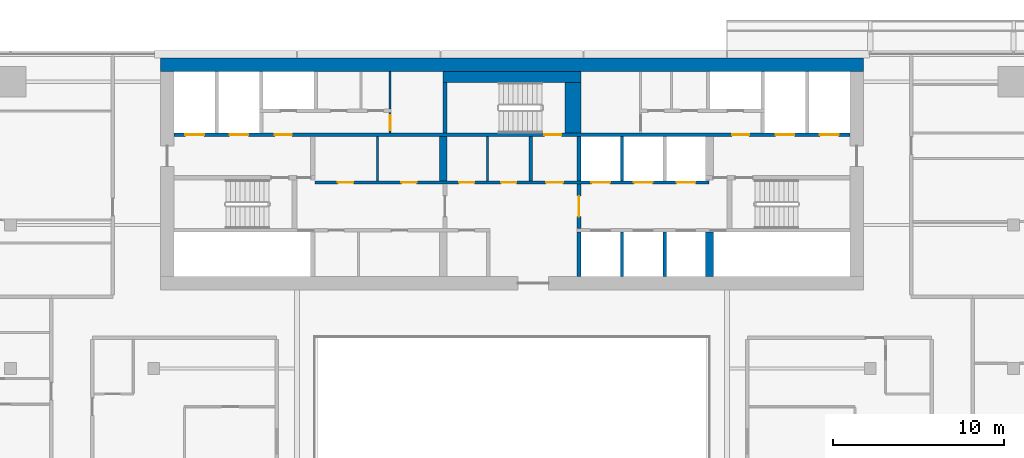
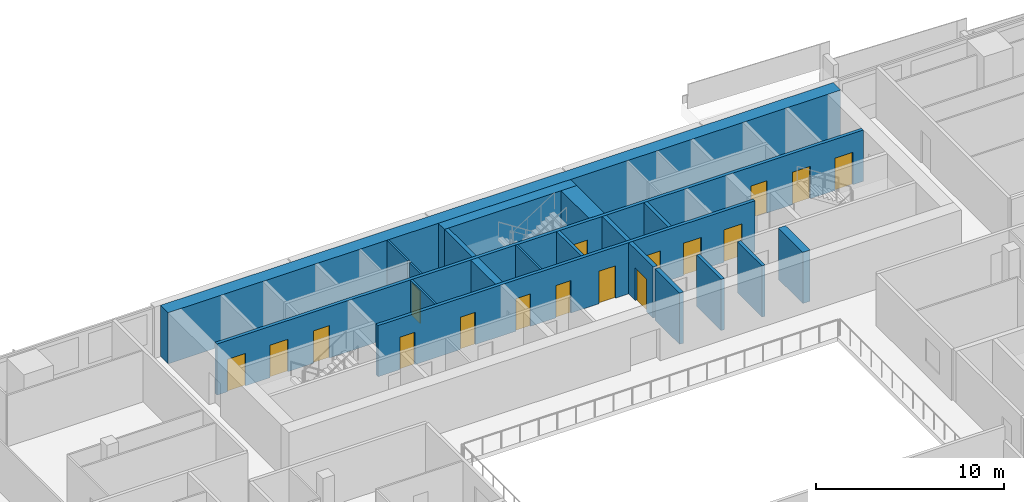
# One storey, part 21 of 30: 19 walls, 17 doors, 17 openings.
"""IFC4 building model written with IfcOpenShell, lengths in metres."""

from ifc_helpers import new_model, si_unit, direction, frame, frame_2d, origin, place, context, subcontext, project, spatial, rectangle, extrude, material, layer, layer_set, type_object, element, fill, save


model = new_model("IFC4")

# Units and contexts
model_context = context("Model", 3, precision=1e-05, world=origin(), true_north=direction((0.0, 1.0)))
body_context = subcontext(model_context, "Body", "Model", "MODEL_VIEW")
ifc_project = project(units=[si_unit("LENGTHUNIT", "METRE"), si_unit("AREAUNIT", "SQUARE_METRE"), si_unit("VOLUMEUNIT", "CUBIC_METRE"), si_unit("PLANEANGLEUNIT", "RADIAN"), si_unit("MASSUNIT", "GRAM", prefix="KILO")], contexts=[model_context])

# Site, building, storey
site_placement = place(None, origin())
site = spatial("IfcSite", under=ifc_project, at=site_placement, CompositionType="ELEMENT")
building_placement = place(site_placement, origin())
building = spatial("IfcBuilding", under=site, at=building_placement, Name="Saffron Gate Tower", CompositionType="ELEMENT")
storey_placement = place(building_placement, frame((0.0, 0.0, 169.050048828125)))
storey = spatial("IfcBuildingStorey", under=building, at=storey_placement, Name="L41", CompositionType="ELEMENT", Elevation=169.050048828125)

# Walls
ifc_material_1 = material(Name="Gypsum board partition on steel studs", Category="steel")
ifc_layer_1 = layer(ifc_material_1, 0.199951171875)
ifc_layer_set_1 = layer_set([ifc_layer_1], Name="CW10 Core partition 200")
wall_type_1 = type_object("IfcWallType", Name="CW10 Core partition 200", PredefinedType="PARTITIONING", material=ifc_layer_set_1)
wall_1_placement = place(storey_placement, frame((88.699951171875, 68.0, 0.0), z_axis=(0.0, 0.0, 1.0), x_axis=(0.0, 1.0, 0.0)))
element("IfcWall", 1, at=wall_1_placement, inside=storey, type_object=wall_type_1, Name="Wall CW10-L41-23", PredefinedType="PARTITIONING", context=body_context, shape_type="SweptSolid", body=[
    extrude(rectangle(XDim=2.60009765625, YDim=0.199951171875, at=frame_2d((1.300048828125, 0.0))), origin(), (0.0, 0.0, 1.0), 3.320068359375),
])
ifc_material_2 = material(Name="Concrete C60", Category="concrete")
ifc_layer_2 = layer(ifc_material_2, 0.800048828125)
ifc_layer_set_2 = layer_set([ifc_layer_2], Name="CW13 RC core wall 800 C60")
wall_type_2 = type_object("IfcWallType", Name="CW13 RC core wall 800 C60", PredefinedType="SOLIDWALL", material=ifc_layer_set_2)
wall_2_placement = place(storey_placement, frame((67.0, 74.800048828125, 0.0), z_axis=(0.0, 0.0, 1.0), x_axis=(1.0, 0.0, 0.0)))
element("IfcWall", 2, at=wall_2_placement, inside=storey, type_object=wall_type_2, Name="Wall CW13-L41-2", PredefinedType="SOLIDWALL", context=body_context, shape_type="SweptSolid", body=[
    extrude(rectangle(XDim=41.199951171875, YDim=0.800048828125, at=frame_2d((20.60009765625, 0.0))), origin(), (0.0, 0.0, 1.0), 3.320068359375),
])
ifc_layer_3 = layer(ifc_material_2, 0.25)
ifc_layer_set_3 = layer_set([ifc_layer_3], Name="CW14 RC core wall 250 C60")
wall_type_3 = type_object("IfcWallType", Name="CW14 RC core wall 250 C60", PredefinedType="SOLIDWALL", material=ifc_layer_set_3)
wall_3_placement = place(storey_placement, frame((91.52490234375, 62.39990234375, 0.0), z_axis=(0.0, 0.0, 1.0), x_axis=(0.0, 1.0, 0.0)))
element("IfcWall", 3, at=wall_3_placement, inside=storey, type_object=wall_type_3, Name="Wall CW14-L41-9", PredefinedType="SOLIDWALL", context=body_context, shape_type="SweptSolid", body=[
    extrude(rectangle(XDim=2.60009765625, YDim=0.25, at=frame_2d((1.300048828125, 0.0))), origin(), (0.0, 0.0, 1.0), 3.320068359375),
])

# Wall, opening, door
wall_4_placement = place(storey_placement, frame((91.52490234375, 65.199951171875, 0.0), z_axis=(0.0, 0.0, 1.0), x_axis=(0.0, 1.0, 0.0)))
wall_4 = element("IfcWall", 4, at=wall_4_placement, inside=storey, type_object=wall_type_3, Name="Wall CW14-L41-17", PredefinedType="SOLIDWALL", context=body_context, shape_type="SweptSolid", body=[
    extrude(rectangle(XDim=2.60009765625, YDim=0.25, at=frame_2d((1.300048828125, 0.0))), origin(), (0.0, 0.0, 1.0), 3.320068359375),
])
opening_1_placement = place(wall_4_placement, frame((0.699951171875, 0.0, 0.0)))
opening_1 = element("IfcOpeningElement", 5, at=opening_1_placement, cuts=wall_4, Name="Opening CR-01", PredefinedType="OPENING", context=body_context, shape_type="SweptSolid", body=[
    extrude(rectangle(XDim=1.199951171875, YDim=2.10009765625, at=frame_2d((0.60009765625, 1.050048828125))), frame((0.0, 0.135009765625, 0.0), z_axis=(0.0, -1.0, 0.0), x_axis=(1.0, 0.0, 0.0)), (0.0, 0.0, 1.0), 0.27001953125),
])
ifc_material_3 = material(Name="Steel fire door set", Category="steel")
door_type_1 = type_object("IfcDoorType", Name="CD3 Lobby door 1200x2100 EI 120", OperationType="NOTDEFINED", PredefinedType="DOOR", material=ifc_material_3)
door_1_placement = place(opening_1_placement, origin())
door_1 = element("IfcDoor", 6, at=door_1_placement, inside=storey, type_object=door_type_1, Name="DOOR CR-01", OperationType="SINGLE_SWING_RIGHT", OverallHeight=2.10009765625, OverallWidth=1.199951171875, PredefinedType="DOOR", context=body_context, shape_type="SweptSolid", body=[
    extrude(rectangle(XDim=1.199951171875, YDim=2.10009765625, at=frame_2d((0.60009765625, 1.050048828125))), frame((0.0, 0.02490234375, 0.0), z_axis=(0.0, -1.0, 0.0), x_axis=(1.0, 0.0, 0.0)), (0.0, 0.0, 1.0), 0.050048828125),
])
fill(opening_1, door_1)

# Walls
wall_5_placement = place(storey_placement, frame((91.52490234375, 68.0, 0.0), z_axis=(0.0, 0.0, 1.0), x_axis=(0.0, 1.0, 0.0)))
element("IfcWall", 7, at=wall_5_placement, inside=storey, type_object=wall_type_3, Name="Wall CW14-L41-24", PredefinedType="SOLIDWALL", context=body_context, shape_type="SweptSolid", body=[
    extrude(rectangle(XDim=2.60009765625, YDim=0.25, at=frame_2d((1.300048828125, 0.0))), origin(), (0.0, 0.0, 1.0), 3.320068359375),
])
wall_6_placement = place(storey_placement, frame((83.675048828125, 70.800048828125, 0.0), z_axis=(0.0, 0.0, 1.0), x_axis=(0.0, 1.0, 0.0)))
element("IfcWall", 8, at=wall_6_placement, inside=storey, type_object=wall_type_3, Name="Wall CW14-L41-36", PredefinedType="SOLIDWALL", context=body_context, shape_type="SweptSolid", body=[
    extrude(rectangle(XDim=2.949951171875, YDim=0.25, at=frame_2d((1.47509765625, 0.0))), origin(), (0.0, 0.0, 1.0), 3.320068359375),
])
ifc_layer_4 = layer(ifc_material_2, 0.199951171875)
ifc_layer_set_4 = layer_set([ifc_layer_4], Name="CW15 RC core wall 200 C60")
wall_type_4 = type_object("IfcWallType", Name="CW15 RC core wall 200 C60", PredefinedType="SOLIDWALL", material=ifc_layer_set_4)
for number, where, z_axis, x_axis, name in (
    (9, (94.050048828125, 62.39990234375, 0.0), (0.0, 0.0, 1.0), (0.0, 1.0, 0.0), "Wall CW15-L41-10"),
    (10, (96.550048828125, 62.39990234375, 0.0), (0.0, 0.0, 1.0), (0.0, 1.0, 0.0), "Wall CW15-L41-11"),
):
    element("IfcWall", number, at=place(storey_placement, frame(where, z_axis=z_axis, x_axis=x_axis)), inside=storey, type_object=wall_type_4, Name=name, PredefinedType="SOLIDWALL", context=body_context, shape_type="SweptSolid", body=[
        extrude(rectangle(XDim=2.60009765625, YDim=0.199951171875, at=frame_2d((1.300048828125, 0.0))), origin(), (0.0, 0.0, 1.0), 3.320068359375),
    ])

# Wall, openings, doors
wall_7_placement = place(storey_placement, frame((76.050048828125, 67.89990234375, 0.0), z_axis=(0.0, 0.0, 1.0), x_axis=(1.0, 0.0, 0.0)))
wall_7 = element("IfcWall", 11, at=wall_7_placement, inside=storey, type_object=wall_type_4, Name="Wall CW15-L41-19", PredefinedType="SOLIDWALL", context=body_context, shape_type="SweptSolid", body=[
    extrude(rectangle(XDim=23.099853515625, YDim=0.199951171875, at=frame_2d((11.5498046875, 0.0))), origin(), (0.0, 0.0, 1.0), 3.320068359375),
])
opening_2_placement = place(wall_7_placement, frame((1.35009765625, 0.0, 0.0)))
opening_2 = element("IfcOpeningElement", 12, at=opening_2_placement, cuts=wall_7, Name="Opening CR-61", PredefinedType="OPENING", context=body_context, shape_type="SweptSolid", body=[
    extrude(rectangle(XDim=0.89990234375, YDim=2.10009765625, at=frame_2d((0.449951171875, 1.050048828125))), frame((0.0, 0.10986328125, 0.0), z_axis=(0.0, -1.0, 0.0), x_axis=(1.0, 0.0, 0.0)), (0.0, 0.0, 1.0), 0.219970703125),
])
opening_3_placement = place(wall_7_placement, frame((5.06005859375, 0.0, 0.0)))
opening_3 = element("IfcOpeningElement", 13, at=opening_3_placement, cuts=wall_7, Name="Opening CR-62", PredefinedType="OPENING", context=body_context, shape_type="SweptSolid", body=[
    extrude(rectangle(XDim=0.89990234375, YDim=2.10009765625, at=frame_2d((0.449951171875, 1.050048828125))), frame((0.0, 0.10986328125, 0.0), z_axis=(0.0, -1.0, 0.0), x_axis=(1.0, 0.0, 0.0)), (0.0, 0.0, 1.0), 0.219970703125),
])
opening_4_placement = place(wall_7_placement, frame((8.449951171875, 0.0, 0.0)))
opening_4 = element("IfcOpeningElement", 14, at=opening_4_placement, cuts=wall_7, Name="Opening CR-67", PredefinedType="OPENING", context=body_context, shape_type="SweptSolid", body=[
    extrude(rectangle(XDim=0.89990234375, YDim=2.10009765625, at=frame_2d((0.449951171875, 1.050048828125))), frame((0.0, 0.10986328125, 0.0), z_axis=(0.0, -1.0, 0.0), x_axis=(1.0, 0.0, 0.0)), (0.0, 0.0, 1.0), 0.219970703125),
])
opening_5_placement = place(wall_7_placement, frame((10.909912109375, 0.0, 0.0)))
opening_5 = element("IfcOpeningElement", 15, at=opening_5_placement, cuts=wall_7, Name="Opening CR-68", PredefinedType="OPENING", context=body_context, shape_type="SweptSolid", body=[
    extrude(rectangle(XDim=0.89990234375, YDim=2.10009765625, at=frame_2d((0.449951171875, 1.050048828125))), frame((0.0, 0.10986328125, 0.0), z_axis=(0.0, -1.0, 0.0), x_axis=(1.0, 0.0, 0.0)), (0.0, 0.0, 1.0), 0.219970703125),
])
opening_6_placement = place(wall_7_placement, frame((13.550048828125, 0.0, 0.0)))
opening_6 = element("IfcOpeningElement", 16, at=opening_6_placement, cuts=wall_7, Name="Opening CR-02", PredefinedType="OPENING", context=body_context, shape_type="SweptSolid", body=[
    extrude(rectangle(XDim=1.0, YDim=2.10009765625, at=frame_2d((0.5, 1.050048828125))), frame((0.0, 0.10986328125, 0.0), z_axis=(0.0, -1.0, 0.0), x_axis=(1.0, 0.0, 0.0)), (0.0, 0.0, 1.0), 0.219970703125),
])
opening_7_placement = place(wall_7_placement, frame((16.199951171875, 0.0, 0.0)))
opening_7 = element("IfcOpeningElement", 17, at=opening_7_placement, cuts=wall_7, Name="Opening LD-HR4", PredefinedType="OPENING", context=body_context, shape_type="SweptSolid", body=[
    extrude(rectangle(XDim=1.10009765625, YDim=2.10009765625, at=frame_2d((0.550048828125, 1.050048828125))), frame((0.0, 0.10986328125, 0.0), z_axis=(0.0, -1.0, 0.0), x_axis=(1.0, 0.0, 0.0)), (0.0, 0.0, 1.0), 0.219970703125),
])
opening_8_placement = place(wall_7_placement, frame((18.699951171875, 0.0, 0.0)))
opening_8 = element("IfcOpeningElement", 18, at=opening_8_placement, cuts=wall_7, Name="Opening LD-HR5", PredefinedType="OPENING", context=body_context, shape_type="SweptSolid", body=[
    extrude(rectangle(XDim=1.10009765625, YDim=2.10009765625, at=frame_2d((0.550048828125, 1.050048828125))), frame((0.0, 0.10986328125, 0.0), z_axis=(0.0, -1.0, 0.0), x_axis=(1.0, 0.0, 0.0)), (0.0, 0.0, 1.0), 0.219970703125),
])
opening_9_placement = place(wall_7_placement, frame((21.199951171875, 0.0, 0.0)))
opening_9 = element("IfcOpeningElement", 19, at=opening_9_placement, cuts=wall_7, Name="Opening LD-HR6", PredefinedType="OPENING", context=body_context, shape_type="SweptSolid", body=[
    extrude(rectangle(XDim=1.10009765625, YDim=2.10009765625, at=frame_2d((0.550048828125, 1.050048828125))), frame((0.0, 0.10986328125, 0.0), z_axis=(0.0, -1.0, 0.0), x_axis=(1.0, 0.0, 0.0)), (0.0, 0.0, 1.0), 0.219970703125),
])
door_type_2 = type_object("IfcDoorType", Name="CD4 Lobby door 1000x2100 EI 120", OperationType="NOTDEFINED", PredefinedType="DOOR", material=ifc_material_3)
door_2_placement = place(opening_6_placement, origin())
door_2 = element("IfcDoor", 20, at=door_2_placement, inside=storey, type_object=door_type_2, Name="DOOR CR-02", OperationType="SINGLE_SWING_LEFT", OverallHeight=2.10009765625, OverallWidth=1.0, PredefinedType="DOOR", context=body_context, shape_type="SweptSolid", body=[
    extrude(rectangle(XDim=1.0, YDim=2.10009765625, at=frame_2d((0.5, 1.050048828125))), frame((0.0, 0.02490234375, 0.0), z_axis=(0.0, -1.0, 0.0), x_axis=(1.0, 0.0, 0.0)), (0.0, 0.0, 1.0), 0.050048828125),
])
fill(opening_6, door_2)
door_type_3 = type_object("IfcDoorType", Name="CD9 Room door 900x2100 EI 60", OperationType="NOTDEFINED", PredefinedType="DOOR", material=ifc_material_3)
door_3_placement = place(opening_2_placement, origin())
door_3 = element("IfcDoor", 21, at=door_3_placement, inside=storey, type_object=door_type_3, Name="DOOR CR-61", OperationType="SINGLE_SWING_LEFT", OverallHeight=2.10009765625, OverallWidth=0.89990234375, PredefinedType="DOOR", context=body_context, shape_type="SweptSolid", body=[
    extrude(rectangle(XDim=0.89990234375, YDim=2.10009765625, at=frame_2d((0.449951171875, 1.050048828125))), frame((0.0, 0.02490234375, 0.0), z_axis=(0.0, -1.0, 0.0), x_axis=(1.0, 0.0, 0.0)), (0.0, 0.0, 1.0), 0.050048828125),
])
fill(opening_2, door_3)
door_4_placement = place(opening_3_placement, origin())
door_4 = element("IfcDoor", 22, at=door_4_placement, inside=storey, type_object=door_type_3, Name="DOOR CR-62", OperationType="SINGLE_SWING_LEFT", OverallHeight=2.10009765625, OverallWidth=0.89990234375, PredefinedType="DOOR", context=body_context, shape_type="SweptSolid", body=[
    extrude(rectangle(XDim=0.89990234375, YDim=2.10009765625, at=frame_2d((0.449951171875, 1.050048828125))), frame((0.0, 0.02490234375, 0.0), z_axis=(0.0, -1.0, 0.0), x_axis=(1.0, 0.0, 0.0)), (0.0, 0.0, 1.0), 0.050048828125),
])
fill(opening_3, door_4)
door_5_placement = place(opening_4_placement, origin())
door_5 = element("IfcDoor", 23, at=door_5_placement, inside=storey, type_object=door_type_3, Name="DOOR CR-67", OperationType="SINGLE_SWING_LEFT", OverallHeight=2.10009765625, OverallWidth=0.89990234375, PredefinedType="DOOR", context=body_context, shape_type="SweptSolid", body=[
    extrude(rectangle(XDim=0.89990234375, YDim=2.10009765625, at=frame_2d((0.449951171875, 1.050048828125))), frame((0.0, 0.02490234375, 0.0), z_axis=(0.0, -1.0, 0.0), x_axis=(1.0, 0.0, 0.0)), (0.0, 0.0, 1.0), 0.050048828125),
])
fill(opening_4, door_5)
door_6_placement = place(opening_5_placement, origin())
door_6 = element("IfcDoor", 24, at=door_6_placement, inside=storey, type_object=door_type_3, Name="DOOR CR-68", OperationType="SINGLE_SWING_LEFT", OverallHeight=2.10009765625, OverallWidth=0.89990234375, PredefinedType="DOOR", context=body_context, shape_type="SweptSolid", body=[
    extrude(rectangle(XDim=0.89990234375, YDim=2.10009765625, at=frame_2d((0.449951171875, 1.050048828125))), frame((0.0, 0.02490234375, 0.0), z_axis=(0.0, -1.0, 0.0), x_axis=(1.0, 0.0, 0.0)), (0.0, 0.0, 1.0), 0.050048828125),
])
fill(opening_5, door_6)
ifc_material_4 = material(Name="Stainless steel landing door", Category="steel")
door_type_4 = type_object("IfcDoorType", Name="LD Lift landing door 1100x2100 EI 120", OperationType="SLIDING_TO_LEFT", PredefinedType="DOOR", material=ifc_material_4)
door_7_placement = place(opening_7_placement, origin())
door_7 = element("IfcDoor", 25, at=door_7_placement, inside=storey, type_object=door_type_4, Name="LANDING DOOR LD-HR4", OperationType="SLIDING_TO_RIGHT", OverallHeight=2.10009765625, OverallWidth=1.10009765625, PredefinedType="DOOR", context=body_context, shape_type="SweptSolid", body=[
    extrude(rectangle(XDim=1.10009765625, YDim=2.10009765625, at=frame_2d((0.550048828125, 1.050048828125))), frame((0.0, 0.02490234375, 0.0), z_axis=(0.0, -1.0, 0.0), x_axis=(1.0, 0.0, 0.0)), (0.0, 0.0, 1.0), 0.050048828125),
])
fill(opening_7, door_7)
door_8_placement = place(opening_8_placement, origin())
door_8 = element("IfcDoor", 26, at=door_8_placement, inside=storey, type_object=door_type_4, Name="LANDING DOOR LD-HR5", OperationType="SLIDING_TO_RIGHT", OverallHeight=2.10009765625, OverallWidth=1.10009765625, PredefinedType="DOOR", context=body_context, shape_type="SweptSolid", body=[
    extrude(rectangle(XDim=1.10009765625, YDim=2.10009765625, at=frame_2d((0.550048828125, 1.050048828125))), frame((0.0, 0.02490234375, 0.0), z_axis=(0.0, -1.0, 0.0), x_axis=(1.0, 0.0, 0.0)), (0.0, 0.0, 1.0), 0.050048828125),
])
fill(opening_8, door_8)
door_9_placement = place(opening_9_placement, origin())
door_9 = element("IfcDoor", 27, at=door_9_placement, inside=storey, type_object=door_type_4, Name="LANDING DOOR LD-HR6", OperationType="SLIDING_TO_RIGHT", OverallHeight=2.10009765625, OverallWidth=1.10009765625, PredefinedType="DOOR", context=body_context, shape_type="SweptSolid", body=[
    extrude(rectangle(XDim=1.10009765625, YDim=2.10009765625, at=frame_2d((0.550048828125, 1.050048828125))), frame((0.0, 0.02490234375, 0.0), z_axis=(0.0, -1.0, 0.0), x_axis=(1.0, 0.0, 0.0)), (0.0, 0.0, 1.0), 0.050048828125),
])
fill(opening_9, door_9)

# Wall
wall_8_placement = place(storey_placement, frame((94.050048828125, 68.0, 0.0), z_axis=(0.0, 0.0, 1.0), x_axis=(0.0, 1.0, 0.0)))
element("IfcWall", 28, at=wall_8_placement, inside=storey, type_object=wall_type_4, Name="Wall CW15-L41-25", PredefinedType="SOLIDWALL", context=body_context, shape_type="SweptSolid", body=[
    extrude(rectangle(XDim=2.60009765625, YDim=0.199951171875, at=frame_2d((1.300048828125, 0.0))), origin(), (0.0, 0.0, 1.0), 3.320068359375),
])

# Wall, openings, doors
wall_9_placement = place(storey_placement, frame((67.800048828125, 70.699951171875, 0.0), z_axis=(0.0, 0.0, 1.0), x_axis=(1.0, 0.0, 0.0)))
wall_9 = element("IfcWall", 29, at=wall_9_placement, inside=storey, type_object=wall_type_4, Name="Wall CW15-L41-32", PredefinedType="SOLIDWALL", context=body_context, shape_type="SweptSolid", body=[
    extrude(rectangle(XDim=39.599853515625, YDim=0.199951171875, at=frame_2d((19.7998046875, 0.0))), origin(), (0.0, 0.0, 1.0), 3.320068359375),
])
opening_10_placement = place(wall_9_placement, frame((0.64990234375, 0.0, 0.0)))
opening_10 = element("IfcOpeningElement", 30, at=opening_10_placement, cuts=wall_9, Name="Opening LD-FF1", PredefinedType="OPENING", context=body_context, shape_type="SweptSolid", body=[
    extrude(rectangle(XDim=1.10009765625, YDim=2.10009765625, at=frame_2d((0.550048828125, 1.050048828125))), frame((0.0, 0.10986328125, 0.0), z_axis=(0.0, -1.0, 0.0), x_axis=(1.0, 0.0, 0.0)), (0.0, 0.0, 1.0), 0.219970703125),
])
opening_11_placement = place(wall_9_placement, frame((3.25, 0.0, 0.0)))
opening_11 = element("IfcOpeningElement", 31, at=opening_11_placement, cuts=wall_9, Name="Opening LD-SV1", PredefinedType="OPENING", context=body_context, shape_type="SweptSolid", body=[
    extrude(rectangle(XDim=1.10009765625, YDim=2.10009765625, at=frame_2d((0.550048828125, 1.050048828125))), frame((0.0, 0.10986328125, 0.0), z_axis=(0.0, -1.0, 0.0), x_axis=(1.0, 0.0, 0.0)), (0.0, 0.0, 1.0), 0.219970703125),
])
opening_12_placement = place(wall_9_placement, frame((5.89990234375, 0.0, 0.0)))
opening_12 = element("IfcOpeningElement", 32, at=opening_12_placement, cuts=wall_9, Name="Opening CR-03", PredefinedType="OPENING", context=body_context, shape_type="SweptSolid", body=[
    extrude(rectangle(XDim=1.0, YDim=2.10009765625, at=frame_2d((0.5, 1.050048828125))), frame((0.0, 0.10986328125, 0.0), z_axis=(0.0, -1.0, 0.0), x_axis=(1.0, 0.0, 0.0)), (0.0, 0.0, 1.0), 0.219970703125),
])
opening_13_placement = place(wall_9_placement, frame((21.699951171875, 0.0, 0.0)))
opening_13 = element("IfcOpeningElement", 33, at=opening_13_placement, cuts=wall_9, Name="Opening CR-17", PredefinedType="OPENING", context=body_context, shape_type="SweptSolid", body=[
    extrude(rectangle(XDim=1.0, YDim=2.10009765625, at=frame_2d((0.5, 1.050048828125))), frame((0.0, 0.10986328125, 0.0), z_axis=(0.0, -1.0, 0.0), x_axis=(1.0, 0.0, 0.0)), (0.0, 0.0, 1.0), 0.219970703125),
])
opening_14_placement = place(wall_9_placement, frame((32.699951171875, 0.0, 0.0)))
opening_14 = element("IfcOpeningElement", 34, at=opening_14_placement, cuts=wall_9, Name="Opening CR-04", PredefinedType="OPENING", context=body_context, shape_type="SweptSolid", body=[
    extrude(rectangle(XDim=1.0, YDim=2.10009765625, at=frame_2d((0.5, 1.050048828125))), frame((0.0, 0.10986328125, 0.0), z_axis=(0.0, -1.0, 0.0), x_axis=(1.0, 0.0, 0.0)), (0.0, 0.0, 1.0), 0.219970703125),
])
opening_15_placement = place(wall_9_placement, frame((35.25, 0.0, 0.0)))
opening_15 = element("IfcOpeningElement", 35, at=opening_15_placement, cuts=wall_9, Name="Opening LD-SV2", PredefinedType="OPENING", context=body_context, shape_type="SweptSolid", body=[
    extrude(rectangle(XDim=1.10009765625, YDim=2.10009765625, at=frame_2d((0.550048828125, 1.050048828125))), frame((0.0, 0.10986328125, 0.0), z_axis=(0.0, -1.0, 0.0), x_axis=(1.0, 0.0, 0.0)), (0.0, 0.0, 1.0), 0.219970703125),
])
opening_16_placement = place(wall_9_placement, frame((37.85009765625, 0.0, 0.0)))
opening_16 = element("IfcOpeningElement", 36, at=opening_16_placement, cuts=wall_9, Name="Opening LD-FF2", PredefinedType="OPENING", context=body_context, shape_type="SweptSolid", body=[
    extrude(rectangle(XDim=1.10009765625, YDim=2.10009765625, at=frame_2d((0.550048828125, 1.050048828125))), frame((0.0, 0.10986328125, 0.0), z_axis=(0.0, -1.0, 0.0), x_axis=(1.0, 0.0, 0.0)), (0.0, 0.0, 1.0), 0.219970703125),
])
door_10_placement = place(opening_12_placement, origin())
door_10 = element("IfcDoor", 37, at=door_10_placement, inside=storey, type_object=door_type_2, Name="DOOR CR-03", OperationType="SINGLE_SWING_LEFT", OverallHeight=2.10009765625, OverallWidth=1.0, PredefinedType="DOOR", context=body_context, shape_type="SweptSolid", body=[
    extrude(rectangle(XDim=1.0, YDim=2.10009765625, at=frame_2d((0.5, 1.050048828125))), frame((0.0, 0.02490234375, 0.0), z_axis=(0.0, -1.0, 0.0), x_axis=(1.0, 0.0, 0.0)), (0.0, 0.0, 1.0), 0.050048828125),
])
fill(opening_12, door_10)
door_11_placement = place(opening_14_placement, origin())
door_11 = element("IfcDoor", 38, at=door_11_placement, inside=storey, type_object=door_type_2, Name="DOOR CR-04", OperationType="SINGLE_SWING_RIGHT", OverallHeight=2.10009765625, OverallWidth=1.0, PredefinedType="DOOR", context=body_context, shape_type="SweptSolid", body=[
    extrude(rectangle(XDim=1.0, YDim=2.10009765625, at=frame_2d((0.5, 1.050048828125))), frame((0.0, 0.02490234375, 0.0), z_axis=(0.0, -1.0, 0.0), x_axis=(1.0, 0.0, 0.0)), (0.0, 0.0, 1.0), 0.050048828125),
])
fill(opening_14, door_11)
door_type_5 = type_object("IfcDoorType", Name="CD5 Stair door 1000x2100 EI 120", OperationType="NOTDEFINED", PredefinedType="DOOR", material=ifc_material_3)
door_12_placement = place(opening_13_placement, origin())
door_12 = element("IfcDoor", 39, at=door_12_placement, inside=storey, type_object=door_type_5, Name="DOOR CR-17", OperationType="SINGLE_SWING_RIGHT", OverallHeight=2.10009765625, OverallWidth=1.0, PredefinedType="DOOR", context=body_context, shape_type="SweptSolid", body=[
    extrude(rectangle(XDim=1.0, YDim=2.10009765625, at=frame_2d((0.5, 1.050048828125))), frame((0.0, 0.02490234375, 0.0), z_axis=(0.0, -1.0, 0.0), x_axis=(1.0, 0.0, 0.0)), (0.0, 0.0, 1.0), 0.050048828125),
])
fill(opening_13, door_12)
door_13_placement = place(opening_10_placement, origin())
door_13 = element("IfcDoor", 40, at=door_13_placement, inside=storey, type_object=door_type_4, Name="LANDING DOOR LD-FF1", OperationType="SLIDING_TO_RIGHT", OverallHeight=2.10009765625, OverallWidth=1.10009765625, PredefinedType="DOOR", context=body_context, shape_type="SweptSolid", body=[
    extrude(rectangle(XDim=1.10009765625, YDim=2.10009765625, at=frame_2d((0.550048828125, 1.050048828125))), frame((0.0, 0.02490234375, 0.0), z_axis=(0.0, -1.0, 0.0), x_axis=(1.0, 0.0, 0.0)), (0.0, 0.0, 1.0), 0.050048828125),
])
fill(opening_10, door_13)
door_14_placement = place(opening_11_placement, origin())
door_14 = element("IfcDoor", 41, at=door_14_placement, inside=storey, type_object=door_type_4, Name="LANDING DOOR LD-SV1", OperationType="SLIDING_TO_RIGHT", OverallHeight=2.10009765625, OverallWidth=1.10009765625, PredefinedType="DOOR", context=body_context, shape_type="SweptSolid", body=[
    extrude(rectangle(XDim=1.10009765625, YDim=2.10009765625, at=frame_2d((0.550048828125, 1.050048828125))), frame((0.0, 0.02490234375, 0.0), z_axis=(0.0, -1.0, 0.0), x_axis=(1.0, 0.0, 0.0)), (0.0, 0.0, 1.0), 0.050048828125),
])
fill(opening_11, door_14)
door_15_placement = place(opening_15_placement, origin())
door_15 = element("IfcDoor", 42, at=door_15_placement, inside=storey, type_object=door_type_4, Name="LANDING DOOR LD-SV2", OperationType="SLIDING_TO_RIGHT", OverallHeight=2.10009765625, OverallWidth=1.10009765625, PredefinedType="DOOR", context=body_context, shape_type="SweptSolid", body=[
    extrude(rectangle(XDim=1.10009765625, YDim=2.10009765625, at=frame_2d((0.550048828125, 1.050048828125))), frame((0.0, 0.02490234375, 0.0), z_axis=(0.0, -1.0, 0.0), x_axis=(1.0, 0.0, 0.0)), (0.0, 0.0, 1.0), 0.050048828125),
])
fill(opening_15, door_15)
door_16_placement = place(opening_16_placement, origin())
door_16 = element("IfcDoor", 43, at=door_16_placement, inside=storey, type_object=door_type_4, Name="LANDING DOOR LD-FF2", OperationType="SLIDING_TO_RIGHT", OverallHeight=2.10009765625, OverallWidth=1.10009765625, PredefinedType="DOOR", context=body_context, shape_type="SweptSolid", body=[
    extrude(rectangle(XDim=1.10009765625, YDim=2.10009765625, at=frame_2d((0.550048828125, 1.050048828125))), frame((0.0, 0.02490234375, 0.0), z_axis=(0.0, -1.0, 0.0), x_axis=(1.0, 0.0, 0.0)), (0.0, 0.0, 1.0), 0.050048828125),
])
fill(opening_16, door_16)

# Walls
ifc_layer_5 = layer(ifc_material_2, 0.449951171875)
ifc_layer_set_5 = layer_set([ifc_layer_5], Name="CW16 RC core wall 450 C60")
wall_type_5 = type_object("IfcWallType", Name="CW16 RC core wall 450 C60", PredefinedType="SOLIDWALL", material=ifc_layer_set_5)
for number, where, z_axis, x_axis, name in (
    (44, (99.175048828125, 62.39990234375, 0.0), (0.0, 0.0, 1.0), (0.0, 1.0, 0.0), "Wall CW16-L41-12"),
    (45, (83.574951171875, 68.0, 0.0), (0.0, 0.0, 1.0), (0.0, 1.0, 0.0), "Wall CW16-L41-21"),
):
    element("IfcWall", number, at=place(storey_placement, frame(where, z_axis=z_axis, x_axis=x_axis)), inside=storey, type_object=wall_type_5, Name=name, PredefinedType="SOLIDWALL", context=body_context, shape_type="SweptSolid", body=[
        extrude(rectangle(XDim=2.60009765625, YDim=0.449951171875, at=frame_2d((1.300048828125, 0.0))), origin(), (0.0, 0.0, 1.0), 3.320068359375),
    ])
ifc_layer_6 = layer(ifc_material_2, 0.949951171875)
ifc_layer_set_6 = layer_set([ifc_layer_6], Name="CW19 RC core wall 950 C60")
wall_type_6 = type_object("IfcWallType", Name="CW19 RC core wall 950 C60", PredefinedType="SOLIDWALL", material=ifc_layer_set_6)
wall_10_placement = place(storey_placement, frame((91.175048828125, 70.800048828125, 0.0), z_axis=(0.0, 0.0, 1.0), x_axis=(0.0, 1.0, 0.0)))
element("IfcWall", 46, at=wall_10_placement, inside=storey, type_object=wall_type_6, Name="Wall CW19-L41-37", PredefinedType="SOLIDWALL", context=body_context, shape_type="SweptSolid", body=[
    extrude(rectangle(XDim=2.949951171875, YDim=0.949951171875, at=frame_2d((1.47509765625, 0.0))), origin(), (0.0, 0.0, 1.0), 3.320068359375),
])
ifc_layer_7 = layer(ifc_material_2, 0.64990234375)
ifc_layer_set_7 = layer_set([ifc_layer_7], Name="CW20 RC core wall 650 C60")
wall_type_7 = type_object("IfcWallType", Name="CW20 RC core wall 650 C60", PredefinedType="SOLIDWALL", material=ifc_layer_set_7)
wall_11_placement = place(storey_placement, frame((83.550048828125, 74.074951171875, 0.0), z_axis=(0.0, 0.0, 1.0), x_axis=(1.0, 0.0, 0.0)))
element("IfcWall", 47, at=wall_11_placement, inside=storey, type_object=wall_type_7, Name="Wall CW20-L41-51", PredefinedType="SOLIDWALL", context=body_context, shape_type="SweptSolid", body=[
    extrude(rectangle(XDim=8.099853515625, YDim=0.64990234375, at=frame_2d((4.0498046875, 0.0))), origin(), (0.0, 0.0, 1.0), 3.320068359375),
])
ifc_layer_8 = layer(ifc_material_1, 0.1201171875)
ifc_layer_set_8 = layer_set([ifc_layer_8], Name="CW8 Core partition 120")
wall_type_8 = type_object("IfcWallType", Name="CW8 Core partition 120", PredefinedType="PARTITIONING", material=ifc_layer_set_8)
for number, where, z_axis, x_axis, name in (
    (48, (79.7099609375, 68.0, 0.0), (0.0, 0.0, 1.0), (0.0, 1.0, 0.0), "Wall CW8-L41-20"),
    (49, (86.159912109375, 68.0, 0.0), (0.0, 0.0, 1.0), (0.0, 1.0, 0.0), "Wall CW8-L41-22"),
):
    element("IfcWall", number, at=place(storey_placement, frame(where, z_axis=z_axis, x_axis=x_axis)), inside=storey, type_object=wall_type_8, Name=name, PredefinedType="PARTITIONING", context=body_context, shape_type="SweptSolid", body=[
        extrude(rectangle(XDim=2.60009765625, YDim=0.1201171875, at=frame_2d((1.300048828125, 0.0))), origin(), (0.0, 0.0, 1.0), 3.320068359375),
    ])

# Wall, opening, door
wall_12_placement = place(storey_placement, frame((80.4599609375, 70.800048828125, 0.0), z_axis=(0.0, 0.0, 1.0), x_axis=(0.0, 1.0, 0.0)))
wall_12 = element("IfcWall", 50, at=wall_12_placement, inside=storey, type_object=wall_type_8, Name="Wall CW8-L41-35", PredefinedType="PARTITIONING", context=body_context, shape_type="SweptSolid", body=[
    extrude(rectangle(XDim=1.199951171875, YDim=0.1201171875, at=frame_2d((0.60009765625, 0.0))), origin(), (0.0, 0.0, 1.0), 3.320068359375),
])
opening_17_placement = place(wall_12_placement, frame((0.14990234375, 0.0, 0.0)))
opening_17 = element("IfcOpeningElement", 51, at=opening_17_placement, cuts=wall_12, Name="Opening CR-60", PredefinedType="OPENING", context=body_context, shape_type="SweptSolid", body=[
    extrude(rectangle(XDim=0.89990234375, YDim=2.10009765625, at=frame_2d((0.449951171875, 1.050048828125))), frame((0.0, 0.070068359375, 0.0), z_axis=(0.0, -1.0, 0.0), x_axis=(1.0, 0.0, 0.0)), (0.0, 0.0, 1.0), 0.14013671875),
])
door_17_placement = place(opening_17_placement, origin())
door_17 = element("IfcDoor", 52, at=door_17_placement, inside=storey, type_object=door_type_3, Name="DOOR CR-60", OperationType="SINGLE_SWING_RIGHT", OverallHeight=2.10009765625, OverallWidth=0.89990234375, PredefinedType="DOOR", context=body_context, shape_type="SweptSolid", body=[
    extrude(rectangle(XDim=0.89990234375, YDim=2.10009765625, at=frame_2d((0.449951171875, 1.050048828125))), frame((0.0, 0.02490234375, 0.0), z_axis=(0.0, -1.0, 0.0), x_axis=(1.0, 0.0, 0.0)), (0.0, 0.0, 1.0), 0.050048828125),
])
fill(opening_17, door_17)

# Wall
wall_13_placement = place(storey_placement, frame((80.4599609375, 72.199951171875, 0.0), z_axis=(0.0, 0.0, 1.0), x_axis=(0.0, 1.0, 0.0)))
element("IfcWall", 53, at=wall_13_placement, inside=storey, type_object=wall_type_8, Name="Wall CW8-L41-46", PredefinedType="PARTITIONING", context=body_context, shape_type="SweptSolid", body=[
    extrude(rectangle(XDim=2.199951171875, YDim=0.1201171875, at=frame_2d((1.10009765625, 0.0))), origin(), (0.0, 0.0, 1.0), 3.320068359375),
])

save(model, "model.ifc")
